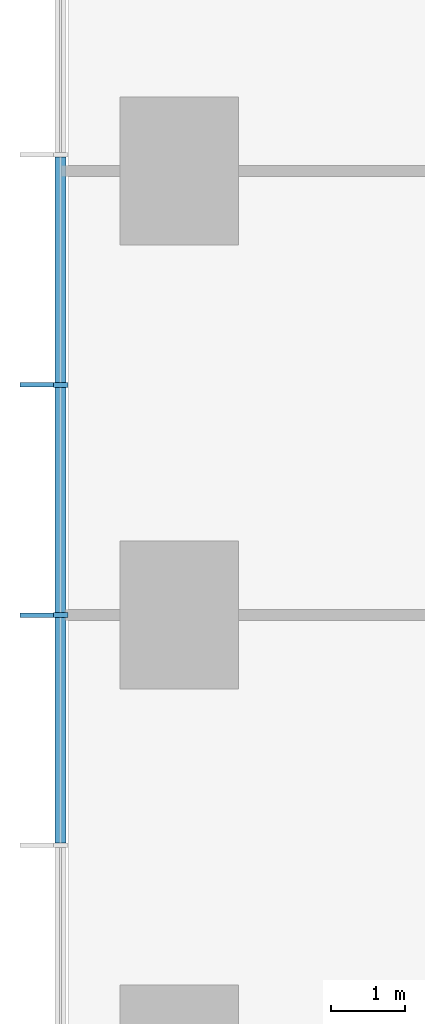
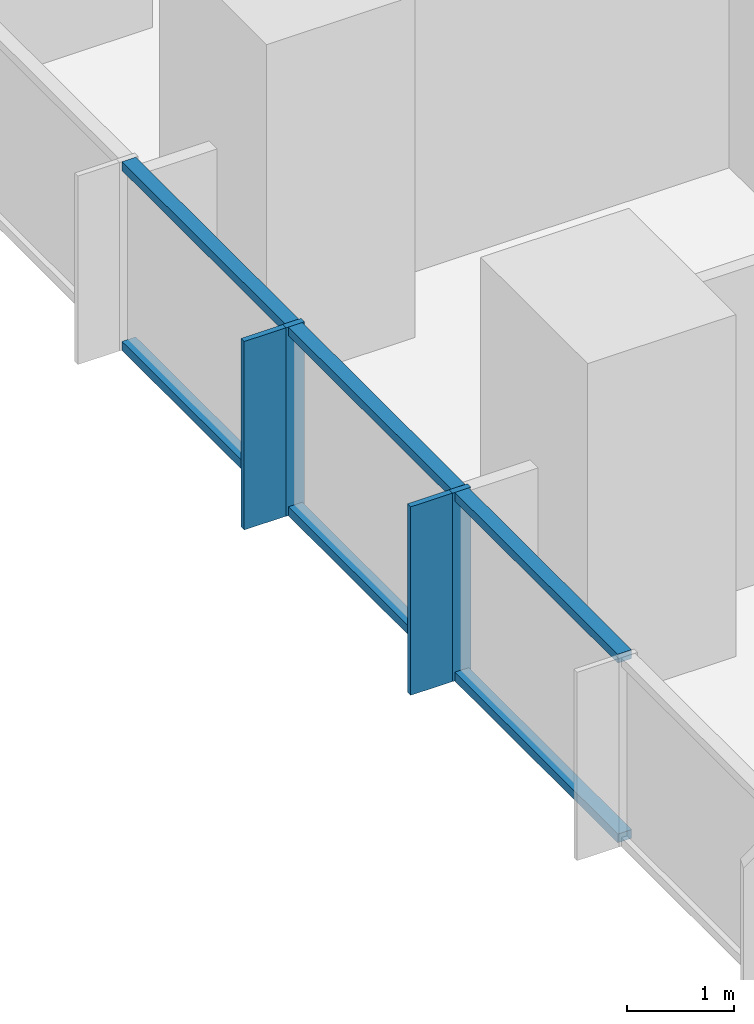
# One storey, part 3 of 13: 10 members, 1 element without a shape of its own.
"""IFC4 building model written with IfcOpenShell, lengths in metres."""

from ifc_helpers import new_model, si_unit, direction, frame, origin, origin_2d, place, context, subcontext, project, spatial, rectangle, extrude, material, layer, layer_set, material_profile, profile_set, type_object, element, aggregate, save


model = new_model("IFC4")

# Units and contexts
model_context = context("Model", 3, precision=1e-05, world=origin(), true_north=direction((0.0, 1.0)))
body_context = subcontext(model_context, "Body", "Model", "MODEL_VIEW")
ifc_project = project(units=[si_unit("LENGTHUNIT", "METRE"), si_unit("AREAUNIT", "SQUARE_METRE"), si_unit("VOLUMEUNIT", "CUBIC_METRE"), si_unit("PLANEANGLEUNIT", "RADIAN"), si_unit("MASSUNIT", "GRAM", prefix="KILO")], contexts=[model_context])

# Site, building, storey
site_placement = place(None, origin())
site = spatial("IfcSite", under=ifc_project, at=site_placement, CompositionType="ELEMENT")
building_placement = place(site_placement, origin())
building = spatial("IfcBuilding", under=site, at=building_placement, Name="Highveld Stack Headquarters", CompositionType="ELEMENT")
storey_placement = place(building_placement, frame((0.0, 0.0, 84.5)))
storey = spatial("IfcBuildingStorey", under=building, at=storey_placement, Name="L20", CompositionType="ELEMENT", Elevation=84.5)

# Curtain wall, members
ifc_material_1 = material(Name="Aluminium bronze anodised", Category="aluminium")
ifc_layer = layer(ifc_material_1, 0.199951171875)
ifc_layer_set = layer_set([ifc_layer], Name="Aluminium bronze anodised")
curtain_wall_type = type_object("IfcCurtainWallType", Name="CW1 TOWER UNITISED CURTAIN WALL", PredefinedType="NOTDEFINED", material=ifc_layer_set)
curtain_wall_placement = place(storey_placement, origin())
curtain_wall = element("IfcCurtainWall", 1, at=curtain_wall_placement, inside=storey, type_object=curtain_wall_type, Name="Curtain wall CW1 L20 W", PredefinedType="NOTDEFINED")
ifc_material_2 = material(Name="Aluminium bronze anodised", Category="aluminium")
ifc_material_profile_1 = material_profile(ifc_material_2, rectangle(XDim=0.449951171875, YDim=0.06005859375, at=origin_2d()), Name="FIN 450x60")
ifc_profile_set_1 = profile_set([ifc_material_profile_1], Name="Aluminium bronze anodised")
member_type_1 = type_object("IfcMemberType", Name="CW1 BRONZE FIN 450x60", PredefinedType="USERDEFINED", material=ifc_profile_set_1)
member_1_placement = place(storey_placement, frame((-19.925048828125, 9.110595703125, 0.0), z_axis=(0.0, 0.0, 1.0), x_axis=(1.0, 0.0, 0.0)))
member_1 = element("IfcMember", 2, at=member_1_placement, type_object=member_type_1, Name="CW1 fin L20 6", ObjectType="FIN", PredefinedType="USERDEFINED", context=body_context, shape_type="SweptSolid", body=[
    extrude(rectangle(XDim=0.449951171875, YDim=0.06005859375, at=origin_2d()), origin(), (0.0, 0.0, 1.0), 2.14990234375),
])
member_2_placement = place(storey_placement, frame((-19.925048828125, 6.0, 0.0), z_axis=(0.0, 0.0, 1.0), x_axis=(1.0, 0.0, 0.0)))
member_2 = element("IfcMember", 3, at=member_2_placement, type_object=member_type_1, Name="CW1 fin L20 7", ObjectType="FIN", PredefinedType="USERDEFINED", context=body_context, shape_type="SweptSolid", body=[
    extrude(rectangle(XDim=0.449951171875, YDim=0.06005859375, at=origin_2d()), origin(), (0.0, 0.0, 1.0), 2.14990234375),
])
ifc_material_3 = material(Name="Aluminium bronze anodised", Category="aluminium")
ifc_material_profile_2 = material_profile(ifc_material_3, rectangle(XDim=0.199951171875, YDim=0.06494140625, at=origin_2d()), Name="CW1 MULLION 65x200")
ifc_profile_set_2 = profile_set([ifc_material_profile_2], Name="Aluminium bronze anodised")
member_type_2 = type_object("IfcMemberType", Name="CW1 MULLION 65x200", PredefinedType="MULLION", material=ifc_profile_set_2)
member_3_placement = place(storey_placement, frame((-19.60009765625, 9.110595703125, 0.0), z_axis=(0.0, 0.0, 1.0), x_axis=(1.0, 0.0, 0.0)))
member_3 = element("IfcMember", 4, at=member_3_placement, type_object=member_type_2, Name="CW1 mullion L20 6", PredefinedType="MULLION", context=body_context, shape_type="SweptSolid", body=[
    extrude(rectangle(XDim=0.199951171875, YDim=0.06494140625, at=origin_2d()), origin(), (0.0, 0.0, 1.0), 2.14990234375),
])
member_4_placement = place(storey_placement, frame((-19.60009765625, 6.0, 0.0), z_axis=(0.0, 0.0, 1.0), x_axis=(1.0, 0.0, 0.0)))
member_4 = element("IfcMember", 5, at=member_4_placement, type_object=member_type_2, Name="CW1 mullion L20 7", PredefinedType="MULLION", context=body_context, shape_type="SweptSolid", body=[
    extrude(rectangle(XDim=0.199951171875, YDim=0.06494140625, at=origin_2d()), origin(), (0.0, 0.0, 1.0), 2.14990234375),
])
ifc_material_4 = material(Name="Aluminium bronze anodised", Category="aluminium")
ifc_material_profile_3 = material_profile(ifc_material_4, rectangle(XDim=0.14990234375, YDim=0.10009765625, at=origin_2d()), Name="CW1 TRANSOM 150x100")
ifc_profile_set_3 = profile_set([ifc_material_profile_3], Name="Aluminium bronze anodised")
member_type_3 = type_object("IfcMemberType", Name="CW1 STACK TRANSOM 150x100", PredefinedType="USERDEFINED", material=ifc_profile_set_3)
member_5_placement = place(storey_placement, frame((-19.60009765625, 12.1884765625, 0.050048828125), z_axis=(0.0, -1.0, 0.0), x_axis=(1.0, 0.0, 0.0)))
member_5 = element("IfcMember", 6, at=member_5_placement, type_object=member_type_3, Name="CW1 transom L20 5.1", ObjectType="TRANSOM", PredefinedType="USERDEFINED", context=body_context, shape_type="SweptSolid", body=[
    extrude(rectangle(XDim=0.14990234375, YDim=0.10009765625, at=origin_2d()), origin(), (0.0, 0.0, 1.0), 3.04541015625),
])
member_6_placement = place(storey_placement, frame((-19.60009765625, 12.1884765625, 2.10009765625), z_axis=(0.0, -1.0, 0.0), x_axis=(1.0, 0.0, 0.0)))
member_6 = element("IfcMember", 7, at=member_6_placement, type_object=member_type_3, Name="CW1 transom L20 5.2", ObjectType="TRANSOM", PredefinedType="USERDEFINED", context=body_context, shape_type="SweptSolid", body=[
    extrude(rectangle(XDim=0.14990234375, YDim=0.10009765625, at=origin_2d()), origin(), (0.0, 0.0, 1.0), 3.04541015625),
])
member_7_placement = place(storey_placement, frame((-19.60009765625, 9.077880859375, 0.050048828125), z_axis=(0.0, -1.0, 0.0), x_axis=(1.0, 0.0, 0.0)))
member_7 = element("IfcMember", 8, at=member_7_placement, type_object=member_type_3, Name="CW1 transom L20 6.1", ObjectType="TRANSOM", PredefinedType="USERDEFINED", context=body_context, shape_type="SweptSolid", body=[
    extrude(rectangle(XDim=0.14990234375, YDim=0.10009765625, at=origin_2d()), origin(), (0.0, 0.0, 1.0), 3.04541015625),
])
member_8_placement = place(storey_placement, frame((-19.60009765625, 9.077880859375, 2.10009765625), z_axis=(0.0, -1.0, 0.0), x_axis=(1.0, 0.0, 0.0)))
member_8 = element("IfcMember", 9, at=member_8_placement, type_object=member_type_3, Name="CW1 transom L20 6.2", ObjectType="TRANSOM", PredefinedType="USERDEFINED", context=body_context, shape_type="SweptSolid", body=[
    extrude(rectangle(XDim=0.14990234375, YDim=0.10009765625, at=origin_2d()), origin(), (0.0, 0.0, 1.0), 3.04541015625),
])
member_9_placement = place(storey_placement, frame((-19.60009765625, 5.967529296875, 0.050048828125), z_axis=(0.0, -1.0, 0.0), x_axis=(1.0, 0.0, 0.0)))
member_9 = element("IfcMember", 10, at=member_9_placement, type_object=member_type_3, Name="CW1 transom L20 7.1", ObjectType="TRANSOM", PredefinedType="USERDEFINED", context=body_context, shape_type="SweptSolid", body=[
    extrude(rectangle(XDim=0.14990234375, YDim=0.10009765625, at=origin_2d()), origin(), (0.0, 0.0, 1.0), 3.04541015625),
])
member_10_placement = place(storey_placement, frame((-19.60009765625, 5.967529296875, 2.10009765625), z_axis=(0.0, -1.0, 0.0), x_axis=(1.0, 0.0, 0.0)))
member_10 = element("IfcMember", 11, at=member_10_placement, type_object=member_type_3, Name="CW1 transom L20 7.2", ObjectType="TRANSOM", PredefinedType="USERDEFINED", context=body_context, shape_type="SweptSolid", body=[
    extrude(rectangle(XDim=0.14990234375, YDim=0.10009765625, at=origin_2d()), origin(), (0.0, 0.0, 1.0), 3.04541015625),
])
aggregate(curtain_wall, [member_3, member_1, member_4, member_2, member_5, member_6, member_7, member_8, member_9, member_10])

save(model, "model.ifc")
